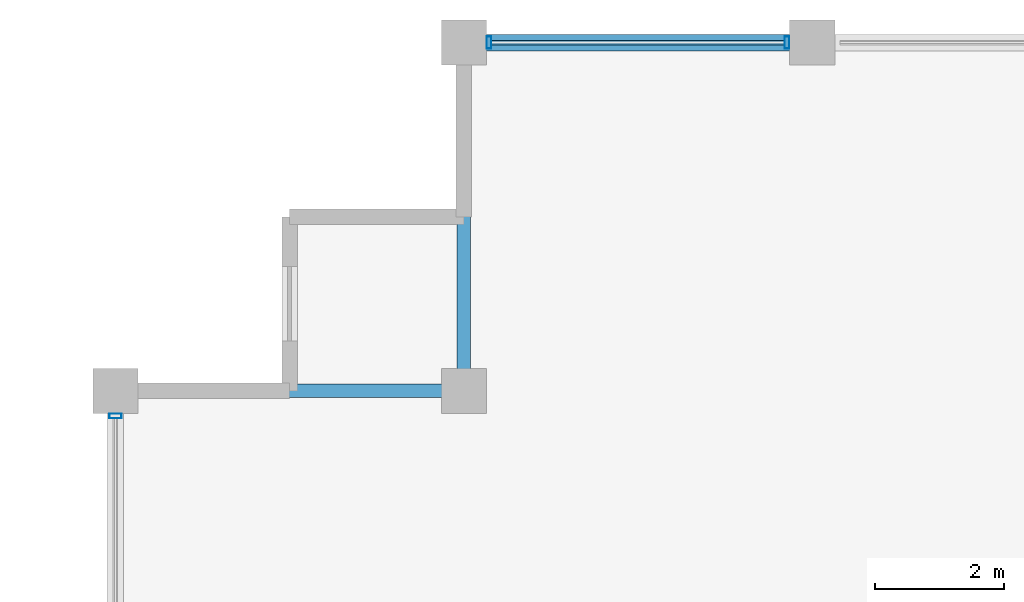
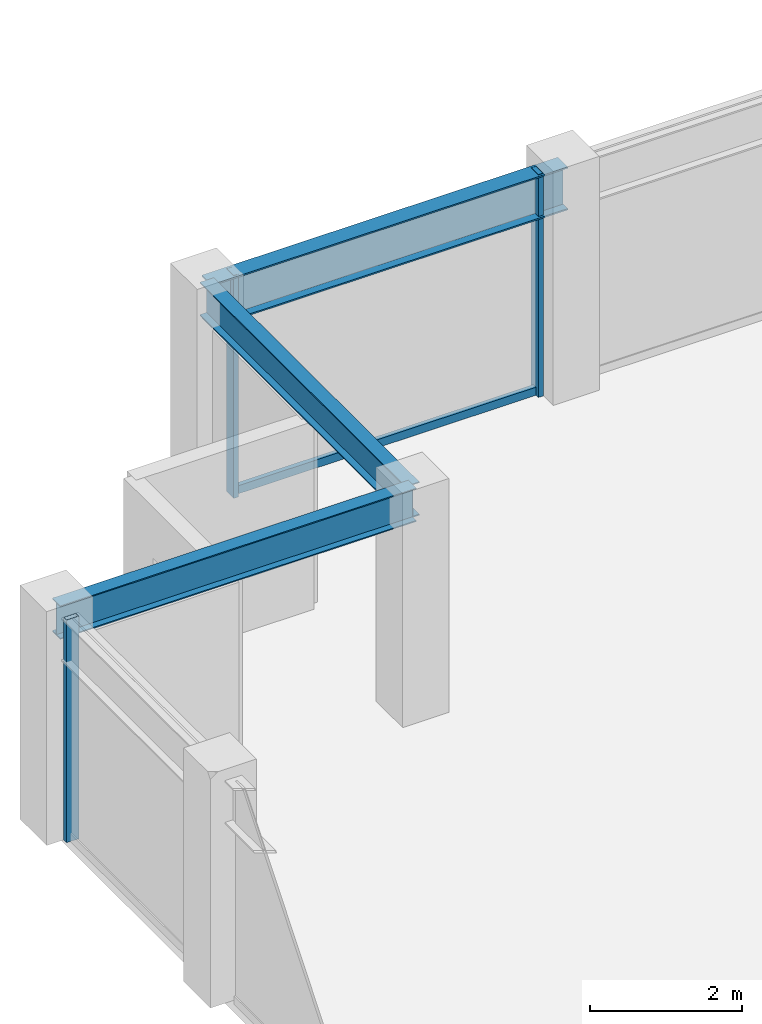
# One storey, part 14 of 29: 4 members, 3 beams, 2 elements without a shape of their own.
"""IFC4 building model written with IfcOpenShell, lengths in metres."""

from ifc_helpers import new_model, si_unit, direction, frame, origin, origin_2d, place, context, subcontext, project, spatial, hollow_rectangle, i_section, extrude, material, layer, layer_set, material_profile, profile_set, type_object, element, aggregate, save


model = new_model("IFC4")

# Units and contexts
model_context = context("Model", 3, precision=1e-05, world=origin(), true_north=direction((0.0, 1.0)))
body_context = subcontext(model_context, "Body", "Model", "MODEL_VIEW")
ifc_project = project(units=[si_unit("LENGTHUNIT", "METRE"), si_unit("AREAUNIT", "SQUARE_METRE"), si_unit("VOLUMEUNIT", "CUBIC_METRE"), si_unit("PLANEANGLEUNIT", "RADIAN"), si_unit("MASSUNIT", "GRAM", prefix="KILO")], contexts=[model_context])

# Site, building, storey
site_placement = place(None, origin())
site = spatial("IfcSite", under=ifc_project, at=site_placement, CompositionType="ELEMENT")
building_placement = place(site_placement, origin())
building = spatial("IfcBuilding", under=site, at=building_placement, Name="Surkhivell Harbour Commons", CompositionType="ELEMENT")
storey_placement = place(building_placement, frame((0.0, 0.0, 273.75)))
storey = spatial("IfcBuildingStorey", under=building, at=storey_placement, Name="L71", CompositionType="ELEMENT", Elevation=273.75)

# Beams
ifc_material_1 = material(Name="Steel S355", Category="steel")
ifc_material_profile_1 = material_profile(ifc_material_1, i_section(OverallWidth=0.2099609375, OverallDepth=0.537109375, WebThickness=0.0107421875, FlangeThickness=0.017333984375, at=origin_2d()), Name="UB533x210x101")
ifc_profile_set_1 = profile_set([ifc_material_profile_1], Name="Steel S355")
beam_type_1 = type_object("IfcBeamType", Name="BM-GRD-533B", PredefinedType="BEAM", material=ifc_profile_set_1)
for number, where, z_axis, x_axis, name in (
    (1, (-27.0, 20.5, 3.301513671875), (1.0, 0.0, 0.0), (0.0, 1.0, 0.0), "L71 Floor Girder (-27.0,20.5)"),
    (2, (-21.60009765625, 20.5, 3.301513671875), (0.0, 1.0, 0.0), (-1.0, 0.0, 0.0), "L71 Floor Girder (-21.6,20.5)"),
):
    element("IfcBeam", number, at=place(storey_placement, frame(where, z_axis=z_axis, x_axis=x_axis)), inside=storey, type_object=beam_type_1, Name=name, PredefinedType="BEAM", context=body_context, shape_type="SweptSolid", body=[
        extrude(i_section(OverallWidth=0.2099609375, OverallDepth=0.537109375, WebThickness=0.0107421875, FlangeThickness=0.017333984375, at=origin_2d()), origin(), (0.0, 0.0, 1.0), 5.39990234375),
    ])
ifc_material_profile_2 = material_profile(ifc_material_1, i_section(OverallWidth=0.256103515625, OverallDepth=0.693115234375, WebThickness=0.014404296875, FlangeThickness=0.023681640625, at=origin_2d()), Name="UB686x254x170")
ifc_profile_set_2 = profile_set([ifc_material_profile_2], Name="Steel S355")
beam_type_2 = type_object("IfcBeamType", Name="BM-SPN-686", PredefinedType="SPANDREL", material=ifc_profile_set_2)
beam_placement = place(storey_placement, frame((-21.60009765625, 25.89990234375, 3.223388671875), z_axis=(1.0, 0.0, 0.0), x_axis=(0.0, 1.0, 0.0)))
element("IfcBeam", 3, at=beam_placement, inside=storey, type_object=beam_type_2, Name="L71 Tube Spandrel (-21.6,25.9)", PredefinedType="SPANDREL", context=body_context, shape_type="SweptSolid", body=[
    extrude(i_section(OverallWidth=0.256103515625, OverallDepth=0.693115234375, WebThickness=0.014404296875, FlangeThickness=0.023681640625, at=origin_2d()), origin(), (0.0, 0.0, 1.0), 5.400146484375),
])

# Curtain wall, members
ifc_material_2 = material(Name="Anodised pale-metal aluminium and insulated glazing", Category="aluminium")
ifc_layer = layer(ifc_material_2, 0.175048828125)
ifc_layer_set = layer_set([ifc_layer], Name="Anodised pale-metal aluminium and insulated glazing")
curtain_wall_type = type_object("IfcCurtainWallType", Name="CW-SYS-Z4", PredefinedType="NOTDEFINED", material=ifc_layer_set)
curtain_wall_1_placement = place(storey_placement, origin())
curtain_wall_1 = element("IfcCurtainWall", 4, at=curtain_wall_1_placement, inside=storey, type_object=curtain_wall_type, Name="L71 Curtain Wall CW-L71-E07S2", PredefinedType="NOTDEFINED")
ifc_material_3 = material(Name="Anodised pale-metal aluminium alloy 6063-T6", Category="aluminium")
ifc_material_profile_3 = material_profile(ifc_material_3, hollow_rectangle(XDim=0.074951171875, YDim=0.18994140625, WallThickness=0.00390625, at=origin_2d()), Name="ALU-MULL-75x190")
ifc_profile_set_3 = profile_set([ifc_material_profile_3], Name="Anodised pale-metal aluminium alloy 6063-T6")
member_type_1 = type_object("IfcMemberType", Name="CWM-190", PredefinedType="MULLION", material=ifc_profile_set_3)
member_1_placement = place(storey_placement, frame((-16.589599609375, 25.89990234375, 0.0), z_axis=(0.0, 0.0, 1.0), x_axis=(-1.0, 0.0, 0.0)))
member_1 = element("IfcMember", 5, at=member_1_placement, type_object=member_type_1, Name="CW-Z4 mullion 3", PredefinedType="MULLION", context=body_context, shape_type="SweptSolid", body=[
    extrude(hollow_rectangle(XDim=0.074951171875, YDim=0.18994140625, WallThickness=0.00390625, at=origin_2d()), origin(), (0.0, 0.0, 1.0), 3.570068359375),
])
member_2_placement = place(storey_placement, frame((-21.21044921875, 25.89990234375, 0.0), z_axis=(0.0, 0.0, 1.0), x_axis=(-1.0, 0.0, 0.0)))
member_2 = element("IfcMember", 6, at=member_2_placement, type_object=member_type_1, Name="CW-Z4 mullion 4", PredefinedType="MULLION", context=body_context, shape_type="SweptSolid", body=[
    extrude(hollow_rectangle(XDim=0.074951171875, YDim=0.18994140625, WallThickness=0.00390625, at=origin_2d()), origin(), (0.0, 0.0, 1.0), 3.570068359375),
])

# Curtain wall, member
curtain_wall_2_placement = place(storey_placement, origin())
curtain_wall_2 = element("IfcCurtainWall", 7, at=curtain_wall_2_placement, inside=storey, type_object=curtain_wall_type, Name="L71 Curtain Wall CW-L71-E12R2", PredefinedType="NOTDEFINED")
member_3_placement = place(storey_placement, frame((-27.0, 20.110595703125, 0.0), z_axis=(0.0, 0.0, 1.0), x_axis=(0.0, 1.0, 0.0)))
member_3 = element("IfcMember", 8, at=member_3_placement, type_object=member_type_1, Name="CW-Z4 mullion 4", PredefinedType="MULLION", context=body_context, shape_type="SweptSolid", body=[
    extrude(hollow_rectangle(XDim=0.074951171875, YDim=0.18994140625, WallThickness=0.00390625, at=origin_2d()), origin(), (0.0, 0.0, 1.0), 3.570068359375),
])
aggregate(curtain_wall_2, [member_3])

# Member
ifc_material_4 = material(Name="Champagne anodised aluminium alloy 6063-T6", Category="aluminium")
ifc_material_profile_4 = material_profile(ifc_material_4, hollow_rectangle(XDim=0.070068359375, YDim=0.1298828125, WallThickness=0.00341796875, at=origin_2d()), Name="ALU-TRAN-70x130")
ifc_profile_set_4 = profile_set([ifc_material_profile_4], Name="Champagne anodised aluminium alloy 6063-T6")
member_type_2 = type_object("IfcMemberType", Name="CWT-130", PredefinedType="USERDEFINED", material=ifc_profile_set_4)
member_4_placement = place(storey_placement, frame((-16.626953125, 25.89990234375, 0.06494140625), z_axis=(-1.0, 0.0, 0.0), x_axis=(0.0, -1.0, 0.0)))
member_4 = element("IfcMember", 9, at=member_4_placement, type_object=member_type_2, Name="CW-Z4 transom 3.1", ObjectType="TRANSOM", PredefinedType="USERDEFINED", context=body_context, shape_type="SweptSolid", body=[
    extrude(hollow_rectangle(XDim=0.070068359375, YDim=0.1298828125, WallThickness=0.00341796875, at=origin_2d()), origin(), (0.0, 0.0, 1.0), 4.546142578125),
])

aggregate(curtain_wall_1, [member_1, member_2, member_4])

save(model, "model.ifc")
